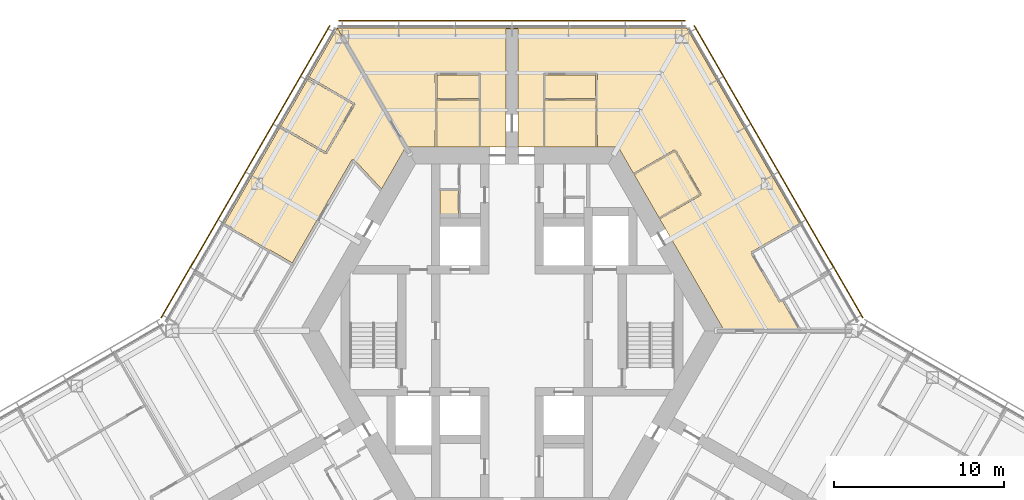
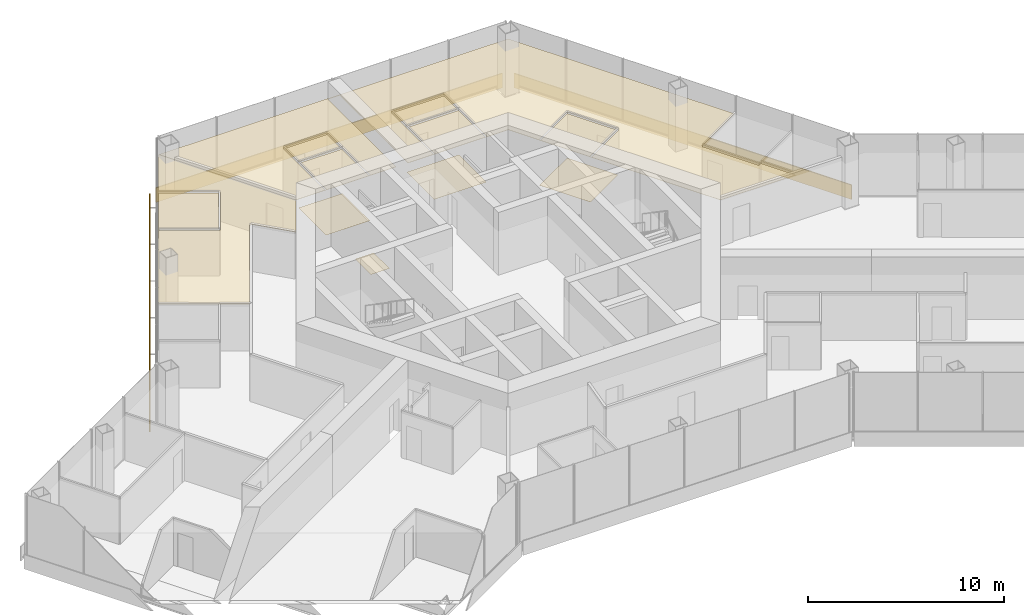
# One storey, part 18 of 18: 13 coverings, 3 shading devices.
"""IFC4 building model written with IfcOpenShell, lengths in metres."""

from ifc_helpers import new_model, si_unit, direction, frame, origin, origin_2d, place, context, subcontext, project, spatial, polyline, rectangle, outline, extrude, material, layer, layer_set, type_object, element, save


model = new_model("IFC4")

# Units and contexts
model_context = context("Model", 3, precision=1e-05, world=origin(), true_north=direction((0.0, 1.0)))
body_context = subcontext(model_context, "Body", "Model", "MODEL_VIEW")
ifc_project = project(units=[si_unit("LENGTHUNIT", "METRE"), si_unit("AREAUNIT", "SQUARE_METRE"), si_unit("VOLUMEUNIT", "CUBIC_METRE"), si_unit("PLANEANGLEUNIT", "RADIAN"), si_unit("MASSUNIT", "GRAM", prefix="KILO")], contexts=[model_context])

# Site, building, storey
site_placement = place(None, origin())
site = spatial("IfcSite", under=ifc_project, at=site_placement, CompositionType="ELEMENT")
building_placement = place(site_placement, origin())
building = spatial("IfcBuilding", under=site, at=building_placement, Name="Kasaneha Research Tower", CompositionType="ELEMENT")
storey_placement = place(building_placement, frame((0.0, 0.0, 137.0)))
storey = spatial("IfcBuildingStorey", under=building, at=storey_placement, Name="L34", CompositionType="ELEMENT", Elevation=137.0)

# Coverings
ifc_material_1 = material(Name="Gypsum ceiling board", Category="gypsum")
ifc_layer_1 = layer(ifc_material_1, 0.02001953125)
ifc_layer_set_1 = layer_set([ifc_layer_1], Name="Suspended ceiling 20")
covering_type_1 = type_object("IfcCoveringType", Name="Suspended ceiling 20", PredefinedType="CEILING", material=ifc_layer_set_1)
covering_1_placement = place(storey_placement, frame((0.0, 0.0, 2.800048828125)))
element("IfcCovering", 1, at=covering_1_placement, inside=storey, type_object=covering_type_1, Name="Ceiling L34-26", PredefinedType="CEILING", context=body_context, shape_type="SweptSolid", body=[
    extrude(outline(polyline([(1.89990234375, 10.824951171875), (1.89990234375, 10.844970703125), (1.949951171875, 10.844970703125), (1.95458984375, 13.570068359375), (4.91650390625, 13.570068359375), (4.9208984375, 10.844970703125), (4.970947265625, 10.844970703125), (4.970947265625, 10.824951171875), (1.89990234375, 10.824951171875)])), origin(), (0.0, 0.0, 1.0), 0.02001953125),
])
covering_2_placement = place(storey_placement, frame((0.0, 0.0, 2.800048828125)))
element("IfcCovering", 2, at=covering_2_placement, inside=storey, type_object=covering_type_1, Name="Ceiling L34-27", PredefinedType="CEILING", context=body_context, shape_type="SweptSolid", body=[
    extrude(outline(polyline([(4.91650390625, 13.669921875), (1.954345703125, 13.669921875), (1.9501953125, 15.074951171875), (4.9208984375, 15.074951171875), (4.91650390625, 13.669921875)])), origin(), (0.0, 0.0, 1.0), 0.02001953125),
])
covering_3_placement = place(storey_placement, frame((0.0, 0.0, 2.800048828125)))
element("IfcCovering", 3, at=covering_3_placement, inside=storey, type_object=covering_type_1, Name="Ceiling L34-28", PredefinedType="CEILING", context=body_context, shape_type="SweptSolid", body=[
    extrude(outline(polyline([(7.1748046875, 9.222900390625), (7.19189453125, 9.23291015625), (7.217041015625, 9.189697265625), (9.581298828125, 10.5546875), (11.03125, 8.043212890625), (8.6669921875, 6.67822265625), (8.69189453125, 6.635009765625), (8.6748046875, 6.625), (7.1748046875, 9.222900390625)])), origin(), (0.0, 0.0, 1.0), 0.02001953125),
])
covering_4_placement = place(storey_placement, frame((0.0, 0.0, 2.800048828125)))
element("IfcCovering", 4, at=covering_4_placement, inside=storey, type_object=covering_type_1, Name="Ceiling L34-31", PredefinedType="CEILING", context=body_context, shape_type="SweptSolid", body=[
    extrude(outline(polyline([(8.692138671875, 6.634521484375), (8.717041015625, 6.591552734375), (11.12451171875, 7.981689453125), (11.099609375, 8.02490234375), (11.10009765625, 8.025146484375), (11.10009765625, 8.025146484375), (11.142822265625, 8.0498046875), (9.642822265625, 10.64794921875), (9.599853515625, 10.623291015625), (9.599853515625, 10.62353515625), (9.599365234375, 10.623291015625), (9.57470703125, 10.666259765625), (7.1669921875, 9.2763671875), (7.191650390625, 9.2333984375), (7.174560546875, 9.223388671875), (6.249755859375, 10.824951171875), (4.971435546875, 10.824951171875), (4.971435546875, 10.844970703125), (5.02099609375, 10.844970703125), (5.016357421875, 13.625), (5.02099609375, 15.124755859375), (4.971435546875, 15.125), (4.971435546875, 15.12548828125), (4.970947265625, 15.12548828125), (4.970947265625, 15.175048828125), (1.89990234375, 15.175048828125), (1.89990234375, 15.125244140625), (1.899658203125, 15.125244140625), (1.899658203125, 15.125), (1.85009765625, 15.124755859375), (1.8544921875, 13.625), (1.85009765625, 10.844970703125), (1.8994140625, 10.844970703125), (1.8994140625, 10.824951171875), (0.35009765625, 10.824951171875), (0.35009765625, 11.72509765625), (0.35009765625, 12.72509765625), (0.35009765625, 17.7705078125), (0.35009765625, 17.7705078125), (0.0, 17.7705078125), (0.0, 17.820556640625), (10.28857421875, 17.820556640625), (16.94677734375, 6.28857421875), (14.0888671875, 4.638427734375), (14.11376953125, 4.595458984375), (14.11328125, 4.59521484375), (14.113525390625, 4.594970703125), (14.070556640625, 4.5703125), (15.736083984375, 1.685546875), (15.78662109375, 1.71484375), (15.913330078125, 1.787353515625), (16.93994140625, 0.0), (12.49951171875, 0.0), (8.675048828125, 6.62451171875), (8.692138671875, 6.634521484375)])), origin(), (0.0, 0.0, 1.0), 0.02001953125),
])
covering_5_placement = place(storey_placement, frame((0.0, 0.0, 2.800048828125)))
element("IfcCovering", 5, at=covering_5_placement, inside=storey, type_object=covering_type_1, Name="Ceiling L34-32", PredefinedType="CEILING", context=body_context, shape_type="SweptSolid", body=[
    extrude(outline(polyline([(-4.470947265625, 10.824951171875), (-4.470947265625, 10.844970703125), (-4.4208984375, 10.844970703125), (-4.41650390625, 13.570068359375), (-1.95458984375, 13.570068359375), (-1.949951171875, 10.844970703125), (-1.89990234375, 10.844970703125), (-1.89990234375, 10.824951171875), (-4.470947265625, 10.824951171875)])), origin(), (0.0, 0.0, 1.0), 0.02001953125),
])
covering_6_placement = place(storey_placement, frame((0.0, 0.0, 2.800048828125)))
element("IfcCovering", 6, at=covering_6_placement, inside=storey, type_object=covering_type_1, Name="Ceiling L34-33", PredefinedType="CEILING", context=body_context, shape_type="SweptSolid", body=[
    extrude(outline(polyline([(-1.9501953125, 15.074951171875), (-1.95458984375, 13.669921875), (-4.41650390625, 13.669921875), (-4.4208984375, 15.074951171875), (-1.9501953125, 15.074951171875)])), origin(), (0.0, 0.0, 1.0), 0.02001953125),
])
covering_7_placement = place(storey_placement, frame((0.0, 0.0, 2.800048828125)))
element("IfcCovering", 7, at=covering_7_placement, inside=storey, type_object=covering_type_1, Name="Ceiling L34-34", PredefinedType="CEILING", context=body_context, shape_type="SweptSolid", body=[
    extrude(outline(polyline([(-0.35009765625, 11.72509765625), (-0.35009765625, 10.824951171875), (-1.8994140625, 10.824951171875), (-1.8994140625, 10.844970703125), (-1.85009765625, 10.844970703125), (-1.854736328125, 13.625), (-1.85009765625, 15.124755859375), (-1.89990234375, 15.125), (-1.89990234375, 15.12548828125), (-1.89990234375, 15.175048828125), (-4.470947265625, 15.175048828125), (-4.470947265625, 15.125244140625), (-4.471435546875, 15.125244140625), (-4.471435546875, 15.125), (-4.52099609375, 15.124755859375), (-4.516357421875, 13.625), (-4.52099609375, 10.844970703125), (-4.471435546875, 10.844970703125), (-4.471435546875, 10.824951171875), (-6.249755859375, 10.824951171875), (-10.28857421875, 17.820556640625), (0.0, 17.820556640625), (0.0, 17.7705078125), (-0.35009765625, 17.7705078125), (-0.35009765625, 17.7705078125), (-0.35009765625, 12.72509765625), (-0.35009765625, 11.72509765625)])), origin(), (0.0, 0.0, 1.0), 0.02001953125),
])
covering_8_placement = place(storey_placement, frame((0.0, 0.0, 2.800048828125)))
element("IfcCovering", 8, at=covering_8_placement, inside=storey, type_object=covering_type_1, Name="Ceiling L34-37", PredefinedType="CEILING", context=body_context, shape_type="SweptSolid", body=[
    extrude(outline(polyline([(-12.000244140625, 14.85595703125), (-9.35888671875, 13.330810546875), (-10.974365234375, 10.53271484375), (-13.598388671875, 12.0478515625), (-13.623291015625, 12.004638671875), (-13.640869140625, 12.0146484375), (-12.000244140625, 14.85595703125)])), origin(), (0.0, 0.0, 1.0), 0.02001953125),
])
covering_9_placement = place(storey_placement, frame((0.0, 0.0, 2.800048828125)))
element("IfcCovering", 9, at=covering_9_placement, inside=storey, type_object=covering_type_1, Name="Ceiling L34-42", PredefinedType="CEILING", context=body_context, shape_type="SweptSolid", body=[
    extrude(outline(polyline([(-9.360595703125, 10.037841796875), (-9.360595703125, 10.037841796875), (-9.425048828125, 10.0751953125), (-12.93505859375, 3.99560546875), (-14.25146484375, 4.755859375), (-14.28662109375, 4.695068359375), (-14.286865234375, 4.6953125), (-14.264404296875, 4.734375), (-16.94677734375, 6.28857421875), (-13.64111328125, 12.01416015625), (-13.62353515625, 12.004150390625), (-13.6484375, 11.961181640625), (-10.981201171875, 10.421142578125), (-10.9560546875, 10.464599609375), (-10.912841796875, 10.439453125), (-9.247314453125, 13.32421875), (-9.290283203125, 13.34912109375), (-9.2900390625, 13.349365234375), (-9.29052734375, 13.349609375), (-9.265625, 13.392578125), (-11.9501953125, 14.9423828125), (-10.28857421875, 17.820556640625), (-6.249755859375, 10.824951171875), (-7.6806640625, 8.346435546875), (-9.305419921875, 10.0888671875), (-9.360107421875, 10.03759765625), (-9.3603515625, 10.03759765625), (-9.360595703125, 10.037841796875)])), origin(), (0.0, 0.0, 1.0), 0.02001953125),
])

# Shading devices
ifc_material_2 = material(Name="Terracotta", Category="masonry")
ifc_layer_2 = layer(ifc_material_2, 0.06005859375)
ifc_layer_set_2 = layer_set([ifc_layer_2], Name="Terracotta baguette screen")
shading_device_type = type_object("IfcShadingDeviceType", Name="Terracotta baguette screen", PredefinedType="USERDEFINED", material=ifc_layer_set_2)
shading_device_1_placement = place(storey_placement, frame((15.696044921875, 9.35498046875, -0.449951171875), z_axis=(0.0, 0.0, 1.0), x_axis=(-0.499999979232, 0.866025415775, 0.0)))
element("IfcShadingDevice", 10, at=shading_device_1_placement, inside=storey, type_object=shading_device_type, Name="Baguette screen L34 06", ObjectType="TERRACOTTA BAGUETTE SCREEN", PredefinedType="USERDEFINED", context=body_context, shape_type="SweptSolid", body=[
    extrude(rectangle(XDim=19.8857421875, YDim=0.06005859375, at=origin_2d()), origin(), (0.0, 0.0, 1.0), 0.89990234375),
])
shading_device_2_placement = place(storey_placement, frame((0.0, 18.2705078125, -0.449951171875), z_axis=(0.0, 0.0, 1.0), x_axis=(-1.0, 0.0, 0.0)))
element("IfcShadingDevice", 11, at=shading_device_2_placement, inside=storey, type_object=shading_device_type, Name="Baguette screen L34 07", ObjectType="TERRACOTTA BAGUETTE SCREEN", PredefinedType="USERDEFINED", context=body_context, shape_type="SweptSolid", body=[
    extrude(rectangle(XDim=20.392822265625, YDim=0.06005859375, at=origin_2d()), origin(), (0.0, 0.0, 1.0), 0.89990234375),
])
shading_device_3_placement = place(storey_placement, frame((-15.696044921875, 9.35498046875, -0.449951171875), z_axis=(0.0, 0.0, 1.0), x_axis=(-0.499999979232, -0.866025415775, 0.0)))
element("IfcShadingDevice", 12, at=shading_device_3_placement, inside=storey, type_object=shading_device_type, Name="Baguette screen L34 08", ObjectType="TERRACOTTA BAGUETTE SCREEN", PredefinedType="USERDEFINED", context=body_context, shape_type="SweptSolid", body=[
    extrude(rectangle(XDim=19.8857421875, YDim=0.06005859375, at=origin_2d()), origin(), (0.0, 0.0, 1.0), 0.89990234375),
])

# Coverings
ifc_material_3 = material(Name="Vinyl sheet flooring", Category="plastic")
ifc_layer_3 = layer(ifc_material_3, 0.0048828125)
ifc_layer_set_3 = layer_set([ifc_layer_3], Name="Wet room sheet flooring 5")
covering_type_2 = type_object("IfcCoveringType", Name="Wet room sheet flooring 5", PredefinedType="FLOORING", material=ifc_layer_set_3)
covering_10_placement = place(storey_placement, origin())
element("IfcCovering", 13, at=covering_10_placement, inside=storey, type_object=covering_type_2, Name="Floor finish L34-07", PredefinedType="FLOORING", context=body_context, shape_type="SweptSolid", body=[
    extrude(outline(polyline([(-4.25, 6.64990234375), (-4.25, 8.25), (-3.14990234375, 8.25), (-3.14990234375, 6.64990234375), (-4.25, 6.64990234375)])), origin(), (0.0, 0.0, 1.0), 0.0048828125),
])
covering_11_placement = place(storey_placement, origin())
element("IfcCovering", 14, at=covering_11_placement, inside=storey, type_object=covering_type_2, Name="Floor finish L34-26", PredefinedType="FLOORING", context=body_context, shape_type="SweptSolid", body=[
    extrude(outline(polyline([(4.970947265625, 13.625), (4.970947265625, 10.824951171875), (1.89990234375, 10.824951171875), (1.89990234375, 13.625), (4.970947265625, 13.625)])), origin(), (0.0, 0.0, 1.0), 0.0048828125),
])
covering_12_placement = place(storey_placement, origin())
element("IfcCovering", 15, at=covering_12_placement, inside=storey, type_object=covering_type_2, Name="Floor finish L34-28", PredefinedType="FLOORING", context=body_context, shape_type="SweptSolid", body=[
    extrude(outline(polyline([(11.099609375, 8.02490234375), (8.6748046875, 6.625), (7.1748046875, 9.222900390625), (9.599609375, 10.623046875), (11.099609375, 8.02490234375)])), origin(), (0.0, 0.0, 1.0), 0.0048828125),
])
covering_13_placement = place(storey_placement, origin())
element("IfcCovering", 16, at=covering_13_placement, inside=storey, type_object=covering_type_2, Name="Floor finish L34-32", PredefinedType="FLOORING", context=body_context, shape_type="SweptSolid", body=[
    extrude(outline(polyline([(-1.89990234375, 13.625), (-1.89990234375, 10.824951171875), (-4.470947265625, 10.824951171875), (-4.470947265625, 13.625), (-1.89990234375, 13.625)])), origin(), (0.0, 0.0, 1.0), 0.0048828125),
])

save(model, "model.ifc")
